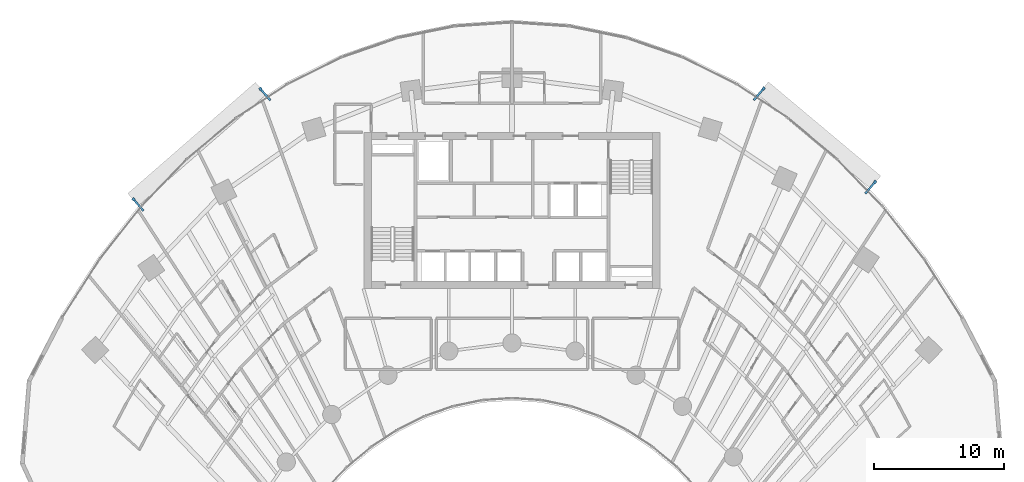
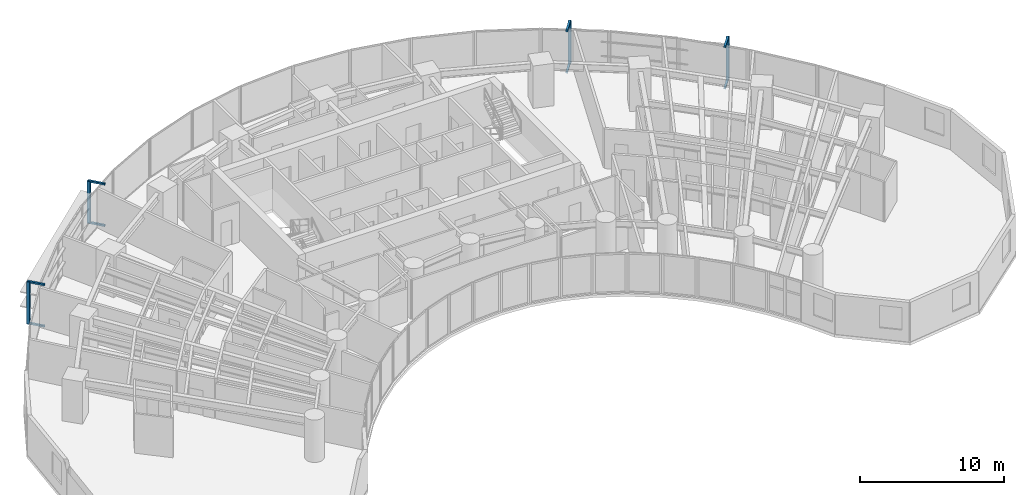
# One storey, part 16 of 18: 12 discrete accessories.
"""IFC4 building model written with IfcOpenShell, lengths in metres."""

import ifcopenshell
import ifcopenshell.guid

model = None  # the IFC model being written
_history = None  # IfcOwnerHistory: only IFC2X3 demands one
_inside = {}  # id of a spatial element -> (the spatial element, [elements in it])
_under = {}  # id of a project, library or spatial element -> (it, [spatial elements below it])
_declared = {}  # id of a project -> (the project, [libraries it declares])
_typed = {}  # id of a type object -> (the type object, [elements of that type])
_made_of = {}  # id of a material, layer set ... -> (it, [elements and type objects made of it])


def new_model(schema):
    """Start an empty IFC model of exactly this schema.

    Asked for "IFC4X3", IfcOpenShell would pick the latest addendum, in which some entities
    have other attributes; the version numbers below select the first issue.
    IFC2X3 requires an IfcOwnerHistory on every rooted entity: one is made here for all.
    """
    global model, _history
    if schema == "IFC4X3":
        model = ifcopenshell.file(schema_version=(4, 3, 0, 0))
    else:
        model = ifcopenshell.file(schema=schema)
    _inside.clear()
    _under.clear()
    _declared.clear()
    _typed.clear()
    _made_of.clear()
    _history = None
    if model.schema == "IFC2X3":
        org = make("IfcOrganization", Name="unknown")
        user = make(
            "IfcPersonAndOrganization",
            ThePerson=make("IfcPerson", FamilyName="unknown"),
            TheOrganization=org,
        )
        app = make(
            "IfcApplication",
            ApplicationDeveloper=org,
            Version="unknown",
            ApplicationFullName="unknown",
            ApplicationIdentifier="unknown",
        )
        _history = make(
            "IfcOwnerHistory",
            OwningUser=user,
            OwningApplication=app,
            ChangeAction="ADDED",
            CreationDate=0,
        )
    return model


def make(cls, **values):
    """One entity of the class cls with the attributes given. An attribute that is None is left unset."""
    return model.create_entity(
        cls, **{name: value for name, value in values.items() if value is not None}
    )


def rooted(cls, **values):
    """An entity with a GlobalId (a new one), such as an element, a storey or a relation."""
    return make(cls, GlobalId=ifcopenshell.guid.new(), OwnerHistory=_history, **values)


def si_unit(unit_type, name, prefix=None):
    """IfcSIUnit, for example si_unit("LENGTHUNIT", "METRE", prefix="MILLI")."""
    return make("IfcSIUnit", UnitType=unit_type, Prefix=prefix, Name=name)


def assignment(units):
    """IfcUnitAssignment: the units of a project."""
    return None if units is None else make("IfcUnitAssignment", Units=units)


def point(xyz):
    """IfcCartesianPoint."""
    return None if xyz is None else make("IfcCartesianPoint", Coordinates=xyz)


def direction(xyz):
    """IfcDirection."""
    return None if xyz is None else make("IfcDirection", DirectionRatios=xyz)


def frame(location, z_axis=None, x_axis=None):
    """IfcAxis2Placement3D, a coordinate frame: its origin and axes. An axis left out is left unset."""
    return make(
        "IfcAxis2Placement3D",
        Location=point(location),
        Axis=direction(z_axis),
        RefDirection=direction(x_axis),
    )


def frame_2d(location, x_axis=None):
    """IfcAxis2Placement2D, a coordinate frame in the plane: its origin and x axis."""
    return make(
        "IfcAxis2Placement2D", Location=point(location), RefDirection=direction(x_axis)
    )


def origin():
    """The frame at (0, 0, 0) with its axes left unset."""
    return frame((0.0, 0.0, 0.0))


def origin_2d():
    """The frame at (0, 0) in the plane with its x axis left unset."""
    return frame_2d((0.0, 0.0))


def place(relative_to, where):
    """IfcLocalPlacement: puts the frame where relative to a parent placement (None: the world)."""
    return make(
        "IfcLocalPlacement", PlacementRelTo=relative_to, RelativePlacement=where
    )


def context(
    kind, dimensions, precision=None, world=None, true_north=None, identifier=None
):
    """IfcGeometricRepresentationContext, for example the 3D "Model" context."""
    return make(
        "IfcGeometricRepresentationContext",
        ContextIdentifier=identifier,
        ContextType=kind,
        CoordinateSpaceDimension=dimensions,
        Precision=precision,
        WorldCoordinateSystem=world,
        TrueNorth=true_north,
    )


def subcontext(parent, identifier, kind, view, scale=None):
    """IfcGeometricRepresentationSubContext, for example "Body" below "Model"."""
    return make(
        "IfcGeometricRepresentationSubContext",
        ContextIdentifier=identifier,
        ContextType=kind,
        ParentContext=parent,
        TargetScale=scale,
        TargetView=view,
    )


def project(units=None, contexts=None):
    """IfcProject with its units and contexts."""
    return rooted(
        "IfcProject",
        Name="project",
        RepresentationContexts=contexts,
        UnitsInContext=assignment(units),
    )


def spatial(cls, under=None, at=None, **own):
    """A site, building, storey or space (cls), placed at a placement, below another one or the project."""
    s = rooted(cls, ObjectPlacement=at, **own)
    if under is not None:
        _under.setdefault(under.id(), (under, []))[1].append(s)
    return s


def profile(cls, at=None, kind="AREA", **sizes):
    """A parametric profile (cls). Its sizes go by their IFC names, for example OverallWidth=200.0."""
    return make(cls, ProfileType=kind, Position=at, **sizes)


def rectangle(**sizes):
    """IfcRectangleProfileDef."""
    return profile("IfcRectangleProfileDef", **sizes)


def extrude(swept, where, along, depth):
    """IfcExtrudedAreaSolid: the profile swept, set in the frame where, extruded along a direction by depth."""
    return make(
        "IfcExtrudedAreaSolid",
        SweptArea=swept,
        Position=where,
        ExtrudedDirection=direction(along),
        Depth=depth,
    )


def shape(context_of_items, identifier, shape_type, items):
    """IfcShapeRepresentation: the items that make up one representation, for example the "Body"."""
    return make(
        "IfcShapeRepresentation",
        ContextOfItems=context_of_items,
        RepresentationIdentifier=identifier,
        RepresentationType=shape_type,
        Items=items,
    )


def source(mapping_origin, context_of_items, identifier, shape_type, items):
    """IfcRepresentationMap: a shape defined once, which mapped items show again and again."""
    return make(
        "IfcRepresentationMap",
        MappingOrigin=mapping_origin,
        MappedRepresentation=shape(context_of_items, identifier, shape_type, items),
    )


def transform(
    local_origin,
    x_axis=None,
    y_axis=None,
    z_axis=None,
    scale=None,
    scale2=None,
    scale3=None,
    uniform=True,
):
    """IfcCartesianTransformationOperator3D, or its non-uniform kind. x_axis, y_axis, z_axis: its Axis1, 2, 3."""
    if uniform:
        return make(
            "IfcCartesianTransformationOperator3D",
            Axis1=direction(x_axis),
            Axis2=direction(y_axis),
            LocalOrigin=point(local_origin),
            Scale=scale,
            Axis3=direction(z_axis),
        )
    return make(
        "IfcCartesianTransformationOperator3DnonUniform",
        Axis1=direction(x_axis),
        Axis2=direction(y_axis),
        LocalOrigin=point(local_origin),
        Scale=scale,
        Axis3=direction(z_axis),
        Scale2=scale2,
        Scale3=scale3,
    )


def mapped(mapping_source, mapping_target):
    """IfcMappedItem: shows the shape of a source again, moved by a transform."""
    return make(
        "IfcMappedItem", MappingSource=mapping_source, MappingTarget=mapping_target
    )


def material(Name=None, Category=None):
    """IfcMaterial."""
    return make("IfcMaterial", Name=Name, Category=Category)


def made_of(thing, what):
    """Note that an element or type object is made of a material, layer set ...; save() writes the relation."""
    if what is not None:
        _made_of.setdefault(what.id(), (what, []))[1].append(thing)
    return thing


def type_object(cls, material=None, **own):
    """A type object (cls), such as IfcWallType, which elements share."""
    return made_of(rooted(cls, **own), material)


def type_shapes(of_type, sources):
    """Give a type object the sources (RepresentationMaps) that its elements show as mapped items."""
    of_type.RepresentationMaps = sources


def element(
    cls,
    number,
    at=None,
    inside=None,
    cuts=None,
    type_object=None,
    material=None,
    context=None,
    identifier="Body",
    shape_type=None,
    held_by="IfcProductDefinitionShape",
    body=None,
    shapes=None,
    **own,
):
    """One element of the class cls, such as IfcWall. Its Tag is "e" and its number.

    at: its placement. inside: the storey or other place that contains it. cuts: it is an
    opening in that element (IfcRelVoidsElement). A single representation is given by context,
    identifier, shape_type and body (its items); several are given by shapes. held_by: the class
    of the entity that holds the representations. save() writes the other relations.
    """
    e = rooted(cls, Tag="e%d" % number, ObjectPlacement=at, **own)
    if body is not None:
        shapes = [shape(context, identifier, shape_type, body)]
    if shapes is not None:
        e.Representation = make(held_by, Representations=shapes)
    if inside is not None:
        _inside.setdefault(inside.id(), (inside, []))[1].append(e)
    if cuts is not None:
        rooted(
            "IfcRelVoidsElement", RelatingBuildingElement=cuts, RelatedOpeningElement=e
        )
    if type_object is not None:
        _typed.setdefault(type_object.id(), (type_object, []))[1].append(e)
    return made_of(e, material)


def aggregate(whole, parts):
    """IfcRelAggregates: a whole, such as a stair, and the parts it consists of."""
    return rooted("IfcRelAggregates", RelatingObject=whole, RelatedObjects=parts)


def save(model, path):
    """Write the relations noted so far, then the file.

    IfcRelAggregates (storeys below a building ...), IfcRelContainedInSpatialStructure (elements
    in a storey), IfcRelDefinesByType, IfcRelAssociatesMaterial and IfcRelDeclares: one each for
    every whole, place, type object, material and project.
    """
    for whole, parts in _under.values():
        aggregate(whole, parts)
    for where, things in _inside.values():
        rooted(
            "IfcRelContainedInSpatialStructure",
            RelatedElements=things,
            RelatingStructure=where,
        )
    for kind, things in _typed.values():
        rooted("IfcRelDefinesByType", RelatedObjects=things, RelatingType=kind)
    for what, things in _made_of.values():
        rooted("IfcRelAssociatesMaterial", RelatedObjects=things, RelatingMaterial=what)
    for by, libraries in _declared.values():
        rooted("IfcRelDeclares", RelatingContext=by, RelatedDefinitions=libraries)
    model.write(path)


model = new_model("IFC4")

# Units and contexts
model_context = context("Model", 3, precision=1e-05, world=origin(), true_north=direction((0.0, 1.0)))
body_context = subcontext(model_context, "Body", "Model", "MODEL_VIEW")
ifc_project = project(units=[si_unit("LENGTHUNIT", "METRE"), si_unit("AREAUNIT", "SQUARE_METRE"), si_unit("VOLUMEUNIT", "CUBIC_METRE"), si_unit("PLANEANGLEUNIT", "RADIAN"), si_unit("MASSUNIT", "GRAM", prefix="KILO")], contexts=[model_context])

# Site, building, storey
site_placement = place(None, origin())
site = spatial("IfcSite", under=ifc_project, at=site_placement, CompositionType="ELEMENT")
building_placement = place(site_placement, origin())
building = spatial("IfcBuilding", under=site, at=building_placement, Name="Breltana Convention Tower", CompositionType="ELEMENT")
storey_placement = place(building_placement, frame((0.0, 0.0, 42.60009765625)))
storey = spatial("IfcBuildingStorey", under=building, at=storey_placement, Name="L08", CompositionType="ELEMENT", Elevation=42.60009765625)

# Discrete accessories
ifc_material = material(Name="Steel S355", Category="steel")
discrete_accessory_type_1 = type_object("IfcDiscreteAccessoryType", Name="ACC-DSF-BRACKET-150", PredefinedType="BRACKET", material=ifc_material)
shared_shape_1 = source(origin(), body_context, "Body", "SweptSolid", [
    extrude(rectangle(XDim=1.239990234375, YDim=0.14990234375, at=origin_2d()), origin(), (0.0, 0.0, 1.0), 0.139892578125),
])
type_shapes(discrete_accessory_type_1, [shared_shape_1])
for number, where, z_axis, x_axis, name in (
    (1, (19.310791015625, 66.643798828125, -0.16015625), (0.0, 0.0, 1.0), (-0.656456838663, 0.754363585397, 0.0), "L08 double-skin slab stand-off bracket 1.1B"),
    (2, (19.310791015625, 66.643798828125, 3.35986328125), (0.0, 0.0, 1.0), (-0.656456838663, 0.754363585397, 0.0), "L08 double-skin slab stand-off bracket 1.1T"),
    (3, (29.052978515625, 75.121337890625, -0.16015625), (0.0, 0.0, 1.0), (-0.656456838663, 0.754363585397, 0.0), "L08 double-skin slab stand-off bracket 1.2B"),
    (4, (29.052978515625, 75.121337890625, 3.35986328125), (0.0, 0.0, 1.0), (-0.656456838663, 0.754363585397, 0.0), "L08 double-skin slab stand-off bracket 1.2T"),
    (5, (66.954833984375, 75.1435546875, -0.16015625), (0.0, 0.0, 1.0), (0.641990162706, 0.76671287389, 0.0), "L08 double-skin slab stand-off bracket 2.1B"),
    (6, (66.954833984375, 75.1435546875, 3.35986328125), (0.0, 0.0, 1.0), (0.641990162706, 0.76671287389, 0.0), "L08 double-skin slab stand-off bracket 2.1T"),
    (7, (75.516357421875, 67.974853515625, -0.16015625), (0.0, 0.0, 1.0), (0.641990162706, 0.76671287389, 0.0), "L08 double-skin slab stand-off bracket 2.2B"),
    (8, (75.516357421875, 67.974853515625, 3.35986328125), (0.0, 0.0, 1.0), (0.641990162706, 0.76671287389, 0.0), "L08 double-skin slab stand-off bracket 2.2T"),
):
    element("IfcDiscreteAccessory", number, at=place(storey_placement, frame(where, z_axis=z_axis, x_axis=x_axis)), inside=storey, type_object=discrete_accessory_type_1, Name=name, PredefinedType="BRACKET", context=body_context, shape_type="MappedRepresentation", body=[
        mapped(shared_shape_1, transform((0.0, 0.0, 0.0), scale=1.0)),
    ])
discrete_accessory_type_2 = type_object("IfcDiscreteAccessoryType", Name="ACC-DSF-CARRIER-150", PredefinedType="BRACKET", material=ifc_material)
shared_shape_2 = source(origin(), body_context, "Body", "SweptSolid", [
    extrude(rectangle(XDim=0.219970703125, YDim=0.219970703125, at=origin_2d()), origin(), (0.0, 0.0, 1.0), 3.580078125),
])
for number, where, z_axis, x_axis, name in (
    (9, (18.943115234375, 67.066162109375, -0.1201171875), (0.0, 0.0, 1.0), (-0.656456838663, 0.754363585397, 0.0), "L08 double-skin outer vertical carrier 1.1"),
    (10, (28.685302734375, 75.5439453125, -0.1201171875), (0.0, 0.0, 1.0), (-0.656456838663, 0.754363585397, 0.0), "L08 double-skin outer vertical carrier 1.2"),
    (11, (67.314453125, 75.57275390625, -0.1201171875), (0.0, 0.0, 1.0), (0.641990162706, 0.76671287389, 0.0), "L08 double-skin outer vertical carrier 2.1"),
    (12, (75.875732421875, 68.404052734375, -0.1201171875), (0.0, 0.0, 1.0), (0.641990162706, 0.76671287389, 0.0), "L08 double-skin outer vertical carrier 2.2"),
):
    element("IfcDiscreteAccessory", number, at=place(storey_placement, frame(where, z_axis=z_axis, x_axis=x_axis)), inside=storey, type_object=discrete_accessory_type_2, Name=name, PredefinedType="BRACKET", context=body_context, shape_type="MappedRepresentation", body=[
        mapped(shared_shape_2, transform((0.0, 0.0, 0.0), scale=1.0)),
    ])

save(model, "model.ifc")
